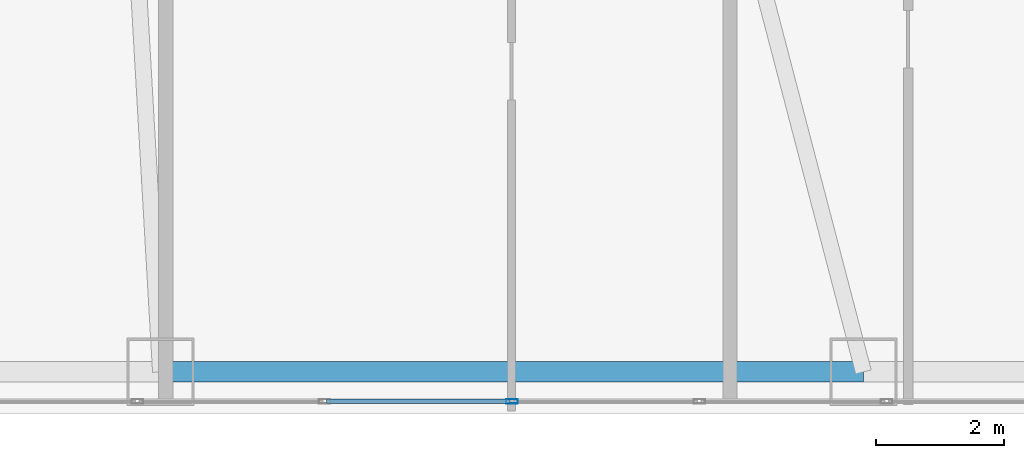
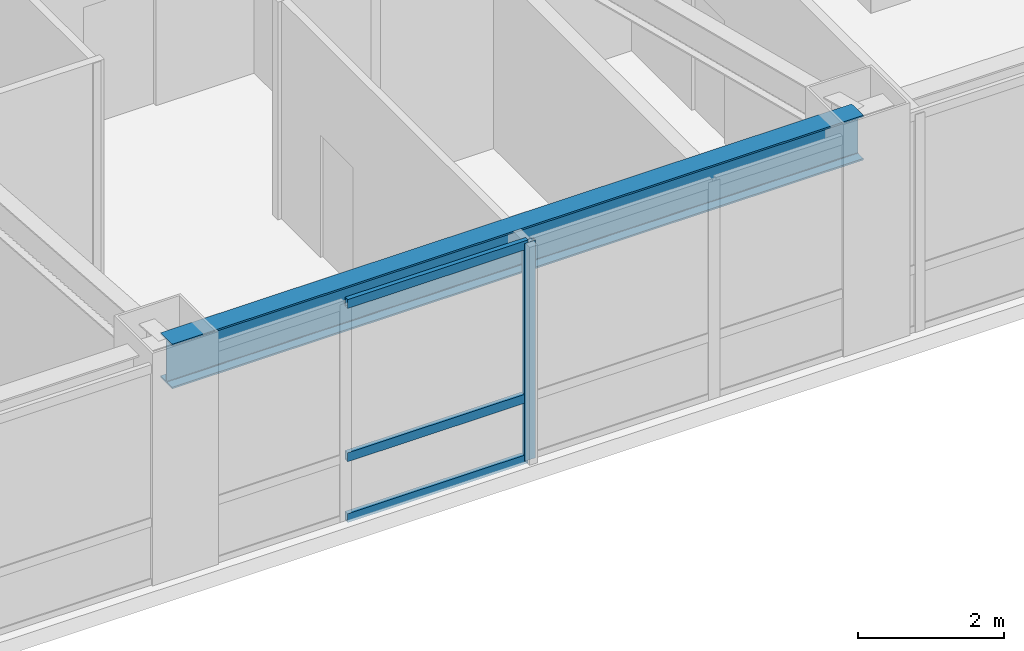
# One storey, part 4 of 28: 4 members, 1 beam, 1 element without a shape of its own.
"""IFC4 building model written with IfcOpenShell, lengths in metres."""

from ifc_helpers import new_model, si_unit, direction, frame, origin, origin_2d, place, context, subcontext, project, spatial, hollow_rectangle, i_section, extrude, material, layer, layer_set, material_profile, profile_set, type_object, element, aggregate, save


model = new_model("IFC4")

# Units and contexts
model_context = context("Model", 3, precision=1e-05, world=origin(), true_north=direction((0.0, 1.0)))
body_context = subcontext(model_context, "Body", "Model", "MODEL_VIEW")
ifc_project = project(units=[si_unit("LENGTHUNIT", "METRE"), si_unit("AREAUNIT", "SQUARE_METRE"), si_unit("VOLUMEUNIT", "CUBIC_METRE"), si_unit("PLANEANGLEUNIT", "RADIAN"), si_unit("MASSUNIT", "GRAM", prefix="KILO")], contexts=[model_context])

# Site, building, storey
site_placement = place(None, origin())
site = spatial("IfcSite", under=ifc_project, at=site_placement, CompositionType="ELEMENT")
building_placement = place(site_placement, origin())
building = spatial("IfcBuilding", under=site, at=building_placement, Name="Voryun Gate Residences", CompositionType="ELEMENT")
storey_placement = place(building_placement, frame((0.0, 0.0, 117.0)))
storey = spatial("IfcBuildingStorey", under=building, at=storey_placement, Name="L28", CompositionType="ELEMENT", Elevation=117.0)

# Beam
ifc_material_1 = material(Name="Steel SM355", Category="steel")
ifc_material_profile_1 = material_profile(ifc_material_1, i_section(OverallWidth=0.320068359375, OverallDepth=0.75, WebThickness=0.01611328125, FlangeThickness=0.028076171875, FilletRadius=0.01806640625, at=origin_2d()), Name="H-750x320x16x28")
ifc_profile_set_1 = profile_set([ifc_material_profile_1], Name="Steel SM355")
beam_type = type_object("IfcBeamType", Name="BM_EXO_SPANDREL_L", PredefinedType="SPANDREL", material=ifc_profile_set_1)
beam_placement = place(storey_placement, frame((-3.47998046875, -19.949951171875, 3.27490234375), z_axis=(1.0, 0.0, 0.0), x_axis=(0.0, 1.0, 0.0)))
element("IfcBeam", 1, at=beam_placement, inside=storey, type_object=beam_type, Name="BM-L28-SPAND-03", PredefinedType="SPANDREL", context=body_context, shape_type="SweptSolid", body=[
    extrude(i_section(OverallWidth=0.320068359375, OverallDepth=0.75, WebThickness=0.01611328125, FlangeThickness=0.028076171875, FilletRadius=0.01806640625, at=origin_2d()), origin(), (0.0, 0.0, 1.0), 10.9599609375),
])

# Curtain wall, members
ifc_material_2 = material(Name="Anodised aluminium", Category="aluminium")
ifc_layer = layer(ifc_material_2, 0.179931640625, Name="CW_SYS_RES_A_DARK_GLASS")
ifc_layer_set = layer_set([ifc_layer], Name="Anodised aluminium")
curtain_wall_type = type_object("IfcCurtainWallType", Name="CW_SYS_RES_A_DARK_GLASS", PredefinedType="NOTDEFINED", material=ifc_layer_set)
curtain_wall_placement = place(storey_placement, origin())
curtain_wall = element("IfcCurtainWall", 2, at=curtain_wall_placement, inside=storey, type_object=curtain_wall_type, Name="Curtain wall CWT-L28-01", PredefinedType="NOTDEFINED")
ifc_material_3 = material(Name="Anodised aluminium", Category="aluminium")
ifc_material_profile_2 = material_profile(ifc_material_3, hollow_rectangle(XDim=0.070068359375, YDim=0.179931640625, WallThickness=0.00390625, at=origin_2d()), Name="ALU-MULL-180x70x4")
ifc_profile_set_2 = profile_set([ifc_material_profile_2], Name="Anodised aluminium")
member_type_1 = type_object("IfcMemberType", Name="CW_MULL_RES", PredefinedType="MULLION", material=ifc_profile_set_2)
member_1_placement = place(storey_placement, frame((2.0, -20.409912109375, 0.0), z_axis=(0.0, 0.0, 1.0), x_axis=(0.0, -1.0, 0.0)))
member_1 = element("IfcMember", 3, at=member_1_placement, type_object=member_type_1, Name="CW3 mullion 4", PredefinedType="MULLION", context=body_context, shape_type="SweptSolid", body=[
    extrude(hollow_rectangle(XDim=0.070068359375, YDim=0.179931640625, WallThickness=0.00390625, at=origin_2d()), origin(), (0.0, 0.0, 1.0), 3.64990234375),
])
ifc_material_4 = material(Name="Anodised aluminium", Category="aluminium")
ifc_material_profile_3 = material_profile(ifc_material_4, hollow_rectangle(XDim=0.070068359375, YDim=0.14990234375, WallThickness=0.00390625, at=origin_2d()), Name="ALU-TRAN-150x70x4")
ifc_profile_set_3 = profile_set([ifc_material_profile_3], Name="Anodised aluminium")
member_type_2 = type_object("IfcMemberType", Name="CW_TRAN_RES", PredefinedType="USERDEFINED", material=ifc_profile_set_3)
member_2_placement = place(storey_placement, frame((1.969970703125, -20.409912109375, 0.030029296875), z_axis=(-1.0, 0.0, 0.0), x_axis=(0.0, -1.0, 0.0)))
member_2 = element("IfcMember", 4, at=member_2_placement, type_object=member_type_2, Name="CW3 transom 4.1", ObjectType="TRANSOM", PredefinedType="USERDEFINED", context=body_context, shape_type="SweptSolid", body=[
    extrude(hollow_rectangle(XDim=0.070068359375, YDim=0.14990234375, WallThickness=0.00390625, at=origin_2d()), origin(), (0.0, 0.0, 1.0), 2.860595703125),
])
member_3_placement = place(storey_placement, frame((1.969970703125, -20.409912109375, 1.050048828125), z_axis=(-1.0, 0.0, 0.0), x_axis=(0.0, -1.0, 0.0)))
member_3 = element("IfcMember", 5, at=member_3_placement, type_object=member_type_2, Name="CW3 transom 4.2", ObjectType="TRANSOM", PredefinedType="USERDEFINED", context=body_context, shape_type="SweptSolid", body=[
    extrude(hollow_rectangle(XDim=0.070068359375, YDim=0.14990234375, WallThickness=0.00390625, at=origin_2d()), origin(), (0.0, 0.0, 1.0), 2.860595703125),
])
member_4_placement = place(storey_placement, frame((1.969970703125, -20.409912109375, 3.6201171875), z_axis=(-1.0, 0.0, 0.0), x_axis=(0.0, -1.0, 0.0)))
member_4 = element("IfcMember", 6, at=member_4_placement, type_object=member_type_2, Name="CW3 transom 4.3", ObjectType="TRANSOM", PredefinedType="USERDEFINED", context=body_context, shape_type="SweptSolid", body=[
    extrude(hollow_rectangle(XDim=0.070068359375, YDim=0.14990234375, WallThickness=0.00390625, at=origin_2d()), origin(), (0.0, 0.0, 1.0), 2.860595703125),
])
aggregate(curtain_wall, [member_1, member_2, member_3, member_4])

save(model, "model.ifc")
